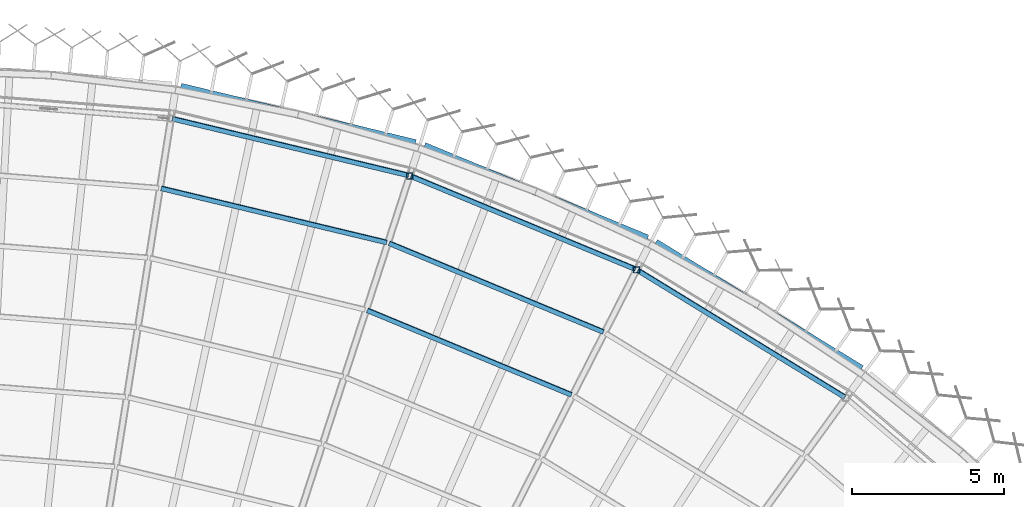
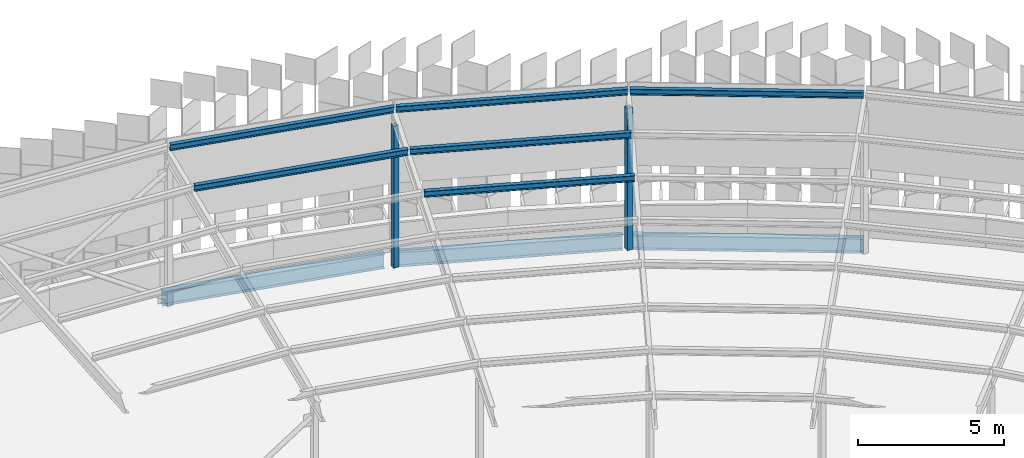
# One storey, part 104 of 483: 8 members, 3 beams.
"""IFC4 building model written with IfcOpenShell, lengths in metres."""

from ifc_helpers import new_model, si_unit, direction, frame, origin, origin_2d, place, context, subcontext, project, spatial, hollow_rectangle, i_section, extrude, material, material_profile, profile_set, type_object, element, save


model = new_model("IFC4")

# Units and contexts
model_context = context("Model", 3, precision=1e-05, world=origin(), true_north=direction((0.0, 1.0)))
body_context = subcontext(model_context, "Body", "Model", "MODEL_VIEW")
ifc_project = project(units=[si_unit("LENGTHUNIT", "METRE"), si_unit("AREAUNIT", "SQUARE_METRE"), si_unit("VOLUMEUNIT", "CUBIC_METRE"), si_unit("PLANEANGLEUNIT", "RADIAN"), si_unit("MASSUNIT", "GRAM", prefix="KILO")], contexts=[model_context])

# Site, building, storey
site_placement = place(None, origin())
site = spatial("IfcSite", under=ifc_project, at=site_placement, CompositionType="ELEMENT")
building_placement = place(site_placement, origin())
building = spatial("IfcBuilding", under=site, at=building_placement, Name="Parallax Yard Mobility Hub", CompositionType="ELEMENT")
storey_placement = place(building_placement, frame((0.0, 0.0, 13.199951171875)))
storey = spatial("IfcBuildingStorey", under=building, at=storey_placement, Name="L04", CompositionType="ELEMENT", Elevation=13.199951171875)

# Members
ifc_material_1 = material(Name="Steel ASTM A500 Gr C", Category="steel")
ifc_material_profile_1 = material_profile(ifc_material_1, hollow_rectangle(XDim=0.203125, YDim=0.203125, WallThickness=0.009521484375, at=origin_2d()), Name="HSS203x203x9.5")
ifc_profile_set_1 = profile_set([ifc_material_profile_1], Name="Steel ASTM A500 Gr C")
member_type_1 = type_object("IfcMemberType", Name="Canopy post HSS203x203x9.5", PredefinedType="POST", material=ifc_profile_set_1)
for number, where, z_axis, x_axis, name in (
    (1, (188.383544921875, 138.88427734375, 0.0), (0.0, 0.0, 1.0), (1.0, 0.0, 0.0), "Canopy post RC/R2"),
    (2, (195.835205078125, 135.797607421875, 0.0), (0.0, 0.0, 1.0), (1.0, 0.0, 0.0), "Canopy post RC/R3"),
):
    element("IfcMember", number, at=place(storey_placement, frame(where, z_axis=z_axis, x_axis=x_axis)), inside=storey, type_object=member_type_1, Name=name, PredefinedType="POST", context=body_context, shape_type="SweptSolid", body=[
        extrude(hollow_rectangle(XDim=0.203125, YDim=0.203125, WallThickness=0.009521484375, at=origin_2d()), origin(), (0.0, 0.0, 1.0), 5.922119140625),
    ])
ifc_material_2 = material(Name="Steel ASTM A992", Category="steel")
ifc_material_profile_2 = material_profile(ifc_material_2, i_section(OverallWidth=0.14794921875, OverallDepth=0.26611328125, WebThickness=0.007568359375, FlangeThickness=0.012939453125, at=origin_2d()), Name="W250x45")
ifc_profile_set_2 = profile_set([ifc_material_profile_2], Name="Steel ASTM A992")
member_type_2 = type_object("IfcMemberType", Name="Canopy purlin W250x45", PredefinedType="PURLIN", material=ifc_profile_set_2)
member_1_placement = place(storey_placement, frame((180.2197265625, 138.47998046875, 6.388671875), z_axis=(0.972370435827, -0.233443216929, 0.0), x_axis=(0.232695183954, 0.969254623944, 0.079990157691)))
element("IfcMember", 3, at=member_1_placement, inside=storey, type_object=member_type_2, Name="Canopy purlin sector R1-R2 line 12", PredefinedType="PURLIN", context=body_context, shape_type="SweptSolid", body=[
    extrude(i_section(OverallWidth=0.14794921875, OverallDepth=0.26611328125, WebThickness=0.007568359375, FlangeThickness=0.012939453125, at=origin_2d()), origin(), (0.0, 0.0, 1.0), 7.6220703125),
])
member_2_placement = place(storey_placement, frame((180.58203125, 140.768310546875, 6.573974609375), z_axis=(0.972369538793, -0.233446953349, 0.0), x_axis=(0.232698908402, 0.969253729784, 0.079990157691)))
element("IfcMember", 4, at=member_2_placement, inside=storey, type_object=member_type_2, Name="Canopy purlin sector R1-R2 line 13", PredefinedType="PURLIN", context=body_context, shape_type="SweptSolid", body=[
    extrude(i_section(OverallWidth=0.14794921875, OverallDepth=0.26611328125, WebThickness=0.007568359375, FlangeThickness=0.012939453125, at=origin_2d()), origin(), (0.0, 0.0, 1.0), 7.98583984375),
])
member_3_placement = place(storey_placement, frame((186.99267578125, 134.47216796875, 6.203369140625), z_axis=(0.92388688302, -0.382665686185, 0.0), x_axis=(0.381439492701, 0.920926429244, 0.079990157691)))
element("IfcMember", 5, at=member_3_placement, inside=storey, type_object=member_type_2, Name="Canopy purlin sector R2-R3 line 11", PredefinedType="PURLIN", context=body_context, shape_type="SweptSolid", body=[
    extrude(i_section(OverallWidth=0.14794921875, OverallDepth=0.26611328125, WebThickness=0.007568359375, FlangeThickness=0.012939453125, at=origin_2d()), origin(), (0.0, 0.0, 1.0), 7.258544921875),
])
member_4_placement = place(storey_placement, frame((187.70849609375, 136.675537109375, 6.388671875), z_axis=(0.923886055194, -0.382667684836, 0.0), x_axis=(0.381441484948, 0.920925604071, 0.079990157691)))
element("IfcMember", 6, at=member_4_placement, inside=storey, type_object=member_type_2, Name="Canopy purlin sector R2-R3 line 12", PredefinedType="PURLIN", context=body_context, shape_type="SweptSolid", body=[
    extrude(i_section(OverallWidth=0.14794921875, OverallDepth=0.26611328125, WebThickness=0.007568359375, FlangeThickness=0.012939453125, at=origin_2d()), origin(), (0.0, 0.0, 1.0), 7.6220703125),
])
for number, where, z_axis, x_axis, name in (
    (7, (188.424560546875, 138.87890625, 6.573974609375), (0.923870016423, -0.382706405427, 0.0), (0.381480081464, 0.920909616693, 0.079990157691), "Canopy purlin sector R2-R3 line 13"),
    (8, (195.874755859375, 135.785888671875, 6.573974609375), (0.852645628503, -0.52248964793, 0.0), (0.520815410012, 0.849913456398, 0.079990157691), "Canopy purlin sector R3-R4 line 13"),
):
    element("IfcMember", number, at=place(storey_placement, frame(where, z_axis=z_axis, x_axis=x_axis)), inside=storey, type_object=member_type_2, Name=name, PredefinedType="PURLIN", context=body_context, shape_type="SweptSolid", body=[
        extrude(i_section(OverallWidth=0.14794921875, OverallDepth=0.26611328125, WebThickness=0.007568359375, FlangeThickness=0.012939453125, at=origin_2d()), origin(), (0.0, 0.0, 1.0), 7.985595703125),
    ])

# Beams
ifc_material_profile_3 = material_profile(ifc_material_2, i_section(OverallWidth=0.22900390625, OverallDepth=0.612060546875, WebThickness=0.011962890625, FlangeThickness=0.01953125, FilletRadius=0.0126953125, at=origin_2d()), Name="W610x125")
ifc_profile_set_3 = profile_set([ifc_material_profile_3], Name="Steel ASTM A992")
beam_type = type_object("IfcBeamType", Name="W610x125 edge beam", PredefinedType="SPANDREL", material=ifc_profile_set_3)
for number, where, z_axis, x_axis, name in (
    (9, (180.861572265625, 141.81787109375, -0.446044921875), (0.972375566855, -0.233421843416, 0.0), (0.233421843416, 0.972375566855, 0.0), "Edge beam SB7 level L04, ring RC of ramped parking decks, span 2"),
    (10, (188.86474609375, 139.8720703125, -0.446044921875), (0.923862648737, -0.38272419086, 0.0), (0.38272419086, 0.923862648737, 0.0), "Edge beam SB7 level L04, ring RC of ramped parking decks, span 3"),
    (11, (196.46484375, 136.697998046875, -0.446044921875), (0.852632214776, -0.522511537027, 0.0), (0.522511537027, 0.852632214776, 0.0), "Edge beam SB7 level L04, ring RC of ramped parking decks, span 4"),
):
    element("IfcBeam", number, at=place(storey_placement, frame(where, z_axis=z_axis, x_axis=x_axis)), inside=storey, type_object=beam_type, Name=name, PredefinedType="SPANDREL", context=body_context, shape_type="SweptSolid", body=[
        extrude(i_section(OverallWidth=0.22900390625, OverallDepth=0.612060546875, WebThickness=0.011962890625, FlangeThickness=0.01953125, FilletRadius=0.0126953125, at=origin_2d()), origin(), (0.0, 0.0, 1.0), 7.932373046875),
    ])

save(model, "model.ifc")
